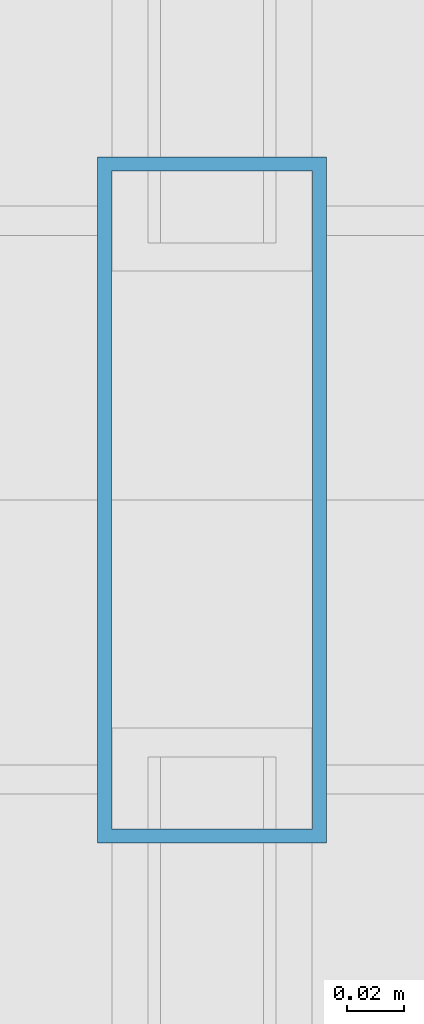
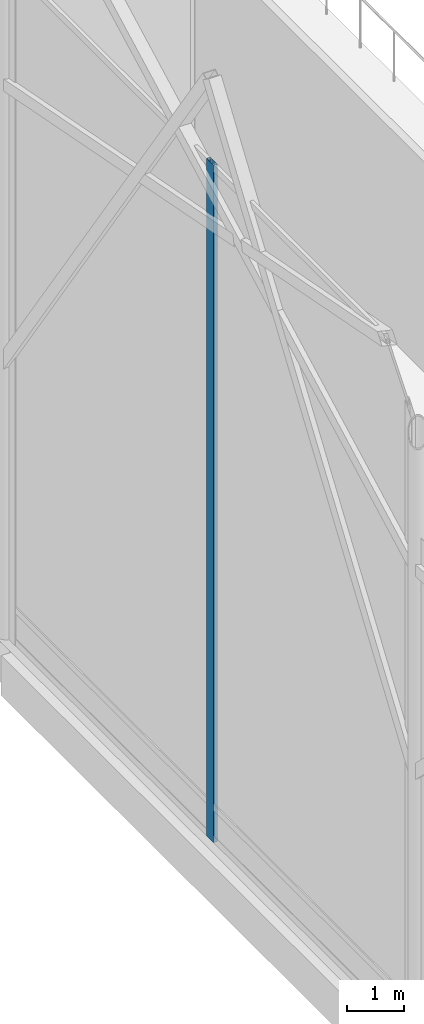
# One storey, part 54 of 220: 1 member, 1 element without a shape of its own.
"""IFC4 building model written with IfcOpenShell, lengths in metres."""

from ifc_helpers import new_model, si_unit, direction, frame, origin, origin_2d, place, context, subcontext, project, spatial, hollow_rectangle, extrude, material, material_profile, profile_set, type_object, element, aggregate, save


model = new_model("IFC4")

# Units and contexts
model_context = context("Model", 3, precision=1e-05, world=origin(), true_north=direction((0.0, 1.0)))
body_context = subcontext(model_context, "Body", "Model", "MODEL_VIEW")
ifc_project = project(units=[si_unit("LENGTHUNIT", "METRE"), si_unit("AREAUNIT", "SQUARE_METRE"), si_unit("VOLUMEUNIT", "CUBIC_METRE"), si_unit("PLANEANGLEUNIT", "RADIAN"), si_unit("MASSUNIT", "GRAM", prefix="KILO")], contexts=[model_context])

# Site, building, storey
site_placement = place(None, origin())
site = spatial("IfcSite", under=ifc_project, at=site_placement, CompositionType="ELEMENT")
building_placement = place(site_placement, origin())
building = spatial("IfcBuilding", under=site, at=building_placement, Name="Cendralis Lancet Convention Centre", CompositionType="ELEMENT")
storey_placement = place(building_placement, frame((0.0, 0.0, 5.39990234375)))
storey = spatial("IfcBuildingStorey", under=building, at=storey_placement, Name="L01", CompositionType="ELEMENT", Elevation=5.39990234375)

# Curtain wall, member
ifc_material = material(Name="Anodised bronze architectural aluminium", Category="aluminium")
curtain_wall_type = type_object("IfcCurtainWallType", Name="ARC-CW-GB02", PredefinedType="USERDEFINED", material=ifc_material)
curtain_wall_placement = place(storey_placement, origin())
curtain_wall = element("IfcCurtainWall", 1, at=curtain_wall_placement, inside=storey, type_object=curtain_wall_type, Name="L01 Curtain Wall CW-GB2 #101", ObjectType="CURTAIN WALL", PredefinedType="USERDEFINED")
ifc_material_profile = material_profile(ifc_material, hollow_rectangle(XDim=0.080078125, YDim=0.239990234375, WallThickness=0.0048828125, at=origin_2d()), Name="AL-MULL 80x240x5.0")
ifc_profile_set = profile_set([ifc_material_profile], Name="Anodised bronze architectural aluminium")
member_type = type_object("IfcMemberType", Name="ARC-CW-ML03", PredefinedType="MULLION", material=ifc_profile_set)
member_placement = place(storey_placement, frame((0.0, 86.39990234375, 0.0), z_axis=(0.0, 0.0, 1.0), x_axis=(1.0, 0.0, 0.0)))
member = element("IfcMember", 2, at=member_placement, type_object=member_type, Name="Mullion CW2-CW-GB2-L01-101-M1", PredefinedType="MULLION", context=body_context, shape_type="SweptSolid", body=[
    extrude(hollow_rectangle(XDim=0.080078125, YDim=0.239990234375, WallThickness=0.0048828125, at=origin_2d()), origin(), (0.0, 0.0, 1.0), 14.4560546875),
])
aggregate(curtain_wall, [member])

save(model, "model.ifc")
